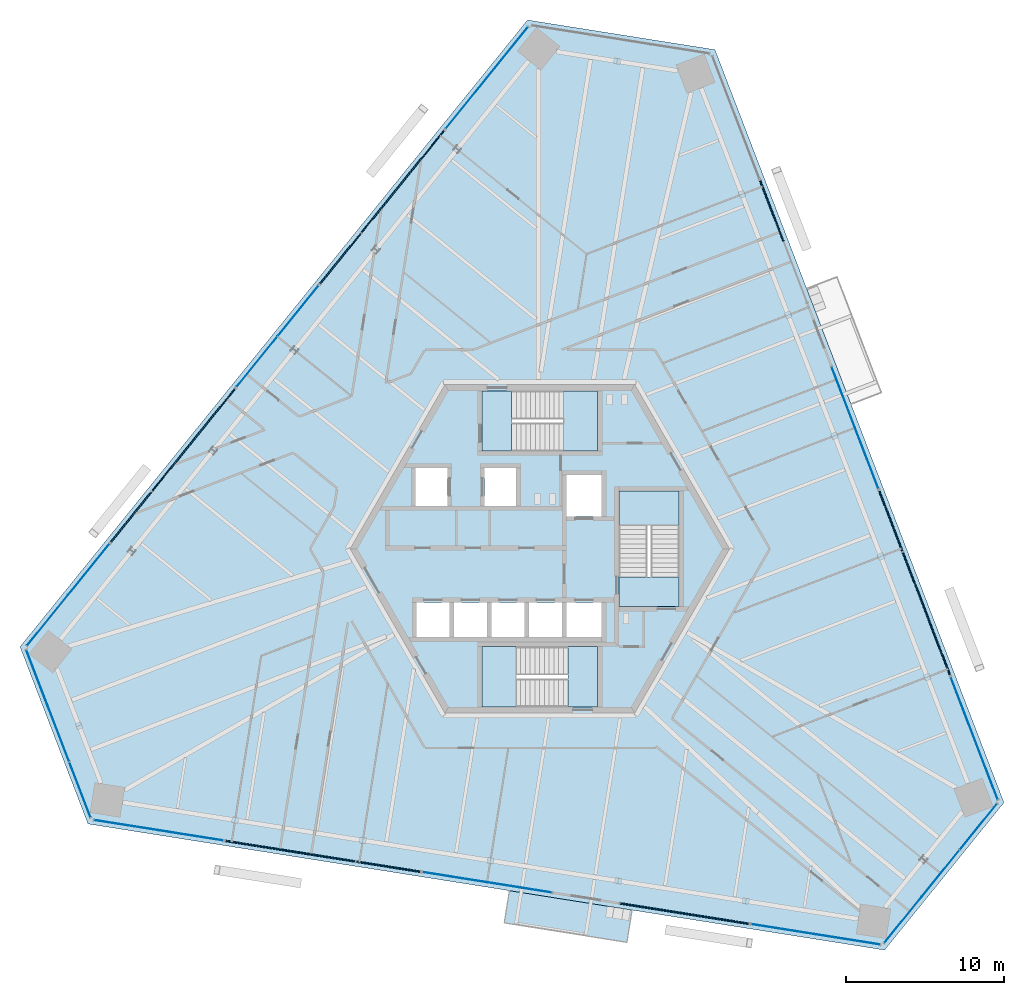
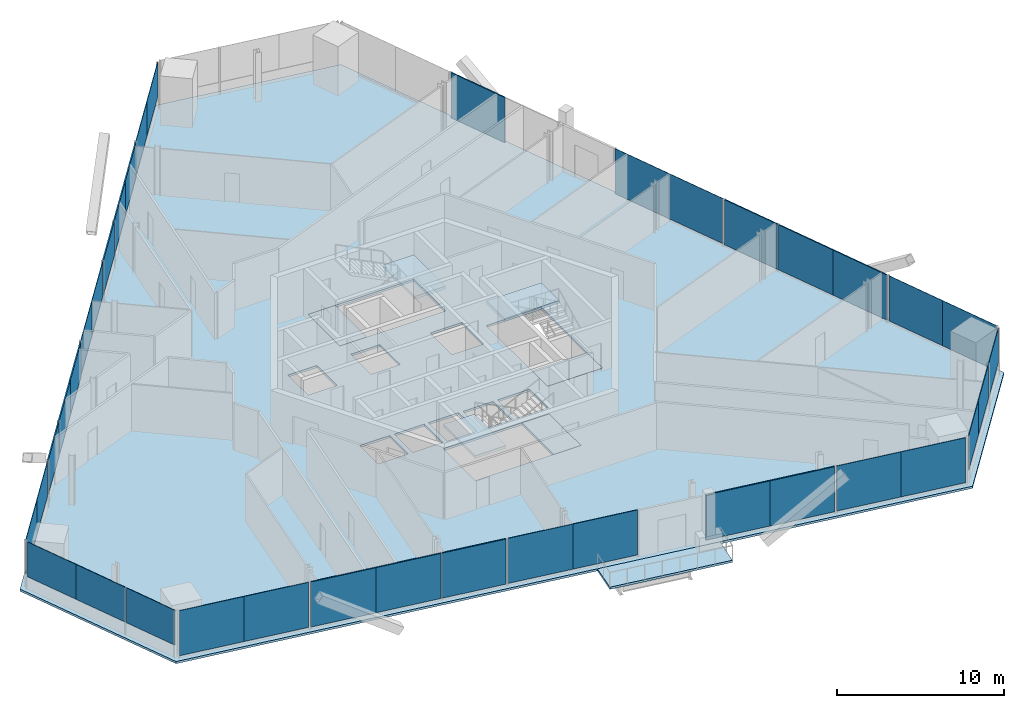
# One storey, part 10 of 19: 37 plates, 8 slabs, 19 elements without a shape of their own.
"""IFC4 building model written with IfcOpenShell, lengths in metres."""

from ifc_helpers import new_model, si_unit, direction, frame, origin, origin_2d, place, context, subcontext, project, spatial, polyline, rectangle, outline, extrude, source, transform, mapped, material, layer, layer_set, type_object, element, aggregate, save


model = new_model("IFC4")

# Units and contexts
model_context = context("Model", 3, precision=1e-05, world=origin(), true_north=direction((0.0, 1.0)))
body_context = subcontext(model_context, "Body", "Model", "MODEL_VIEW")
ifc_project = project(units=[si_unit("LENGTHUNIT", "METRE"), si_unit("AREAUNIT", "SQUARE_METRE"), si_unit("VOLUMEUNIT", "CUBIC_METRE"), si_unit("PLANEANGLEUNIT", "RADIAN"), si_unit("MASSUNIT", "GRAM", prefix="KILO")], contexts=[model_context])

# Site, building, storey
site_placement = place(None, origin())
site = spatial("IfcSite", under=ifc_project, at=site_placement, CompositionType="ELEMENT")
building_placement = place(site_placement, origin())
building = spatial("IfcBuilding", under=site, at=building_placement, Name="Triune Harvest Tower", CompositionType="ELEMENT")
storey_placement = place(building_placement, frame((0.0, 0.0, 164.10009765625)))
storey = spatial("IfcBuildingStorey", under=building, at=storey_placement, Name="L42", CompositionType="ELEMENT", Elevation=164.10009765625)

# Slab
ifc_material_1 = material(Name="Concrete 40 MPa", Category="concrete")
ifc_layer_1 = layer(ifc_material_1, 0.159912109375)
ifc_layer_set_1 = layer_set([ifc_layer_1], Name="Concrete 40 MPa")
slab_type_1 = type_object("IfcSlabType", Name="BA-1 balcony slab 160", PredefinedType="FLOOR", material=ifc_layer_set_1)
slab_1_placement = place(storey_placement, frame((0.0, 0.0, -0.16015625)))
element("IfcSlab", 1, at=slab_1_placement, inside=storey, type_object=slab_type_1, Name="Balcony slab B4-F5 L42.8", PredefinedType="FLOOR", context=body_context, shape_type="SweptSolid", body=[
    extrude(outline(polyline([(-1.925537109375, -21.615478515625), (5.829833984375, -22.843994140625), (5.50732421875, -24.8798828125), (-2.248046875, -23.651611328125), (-1.925537109375, -21.615478515625)])), origin(), (0.0, 0.0, 1.0), 0.16015625),
])

# Curtain wall, plate
ifc_material_2 = material(Name="Aluminium bronze anodised", Category="aluminium")
curtain_wall_type_1 = type_object("IfcCurtainWallType", Name="CW-10 Balcony window wall with insulated spandrel infill", PredefinedType="NOTDEFINED", material=ifc_material_2)
curtain_wall_1_placement = place(storey_placement, origin())
curtain_wall_1 = element("IfcCurtainWall", 2, at=curtain_wall_1_placement, inside=storey, type_object=curtain_wall_type_1, Name="CW-10 B4-F5 L42 run 1001")
ifc_material_3 = material(Name="Insulated spandrel panel, bronze aluminium pan", Category="aluminium")
ifc_layer_2 = layer(ifc_material_3, 0.080078125)
ifc_layer_set_2 = layer_set([ifc_layer_2], Name="Insulated spandrel panel, bronze aluminium pan")
plate_type_1 = type_object("IfcPlateType", Name="SP-1 insulated spandrel panel 80", PredefinedType="CURTAIN_PANEL", material=ifc_layer_set_2)
plate_1_placement = place(storey_placement, frame((-13.737060546875, -19.441162109375, 0.14990234375), z_axis=(0.0, 0.0, 1.0), x_axis=(0.987687838082, -0.156437637752, 0.0)))
plate_1 = element("IfcPlate", 3, at=plate_1_placement, type_object=plate_type_1, Name="CW-10 panel B4-F5 1001.2", PredefinedType="CURTAIN_PANEL", context=body_context, shape_type="SweptSolid", body=[
    extrude(rectangle(XDim=4.1708984375, YDim=0.080078125, at=origin_2d()), origin(), (0.0, 0.0, 1.0), 3.2900390625),
])

# Slab
ifc_material_4 = material(Name="Concrete 40 MPa", Category="concrete")
ifc_layer_3 = layer(ifc_material_4, 0.159912109375)
ifc_layer_set_3 = layer_set([ifc_layer_3], Name="Concrete 40 MPa")
slab_type_2 = type_object("IfcSlabType", Name="SL-1 Composite floor slab 160", PredefinedType="FLOOR", material=ifc_layer_set_3)
shared_shape_1 = source(origin(), body_context, "Body", "SweptSolid", [
    extrude(outline(polyline([(29.35107421875, -16.04736328125), (11.07421875, 31.565185546875), (-0.778076171875, 33.4423828125), (-32.873291015625, -6.19189453125), (-28.572998046875, -17.39501953125), (21.799072265625, -25.373291015625), (29.35107421875, -16.04736328125)]), holes=[polyline([(-5.72509765625, -5.590087890625), (-5.72509765625, -3.389892578125), (-7.800048828125, -3.389892578125), (-7.800048828125, -5.590087890625), (-5.72509765625, -5.590087890625)]), polyline([(-3.35009765625, -5.590087890625), (-3.35009765625, -3.389892578125), (-5.425048828125, -3.389892578125), (-5.425048828125, -5.590087890625), (-3.35009765625, -5.590087890625)]), polyline([(-0.97509765625, -5.590087890625), (-0.97509765625, -3.389892578125), (-3.050048828125, -3.389892578125), (-3.050048828125, -5.590087890625), (-0.97509765625, -5.590087890625)]), polyline([(1.39990234375, -5.590087890625), (1.39990234375, -3.389892578125), (-0.675048828125, -3.389892578125), (-0.675048828125, -5.590087890625), (1.39990234375, -5.590087890625)]), polyline([(3.89990234375, 2.06005859375), (3.89990234375, 4.659912109375), (1.699951171875, 4.659912109375), (1.699951171875, 2.06005859375), (3.89990234375, 2.06005859375)]), polyline([(3.89990234375, -5.590087890625), (3.89990234375, -3.389892578125), (1.699951171875, -3.389892578125), (1.699951171875, -5.590087890625), (3.89990234375, -5.590087890625)]), polyline([(-5.85009765625, 2.7099609375), (-5.85009765625, 5.110107421875), (-7.85009765625, 5.110107421875), (-7.85009765625, 2.7099609375), (-5.85009765625, 2.7099609375)]), polyline([(-1.5, 2.7099609375), (-1.5, 5.110107421875), (-3.5, 5.110107421875), (-3.5, 2.7099609375), (-1.5, 2.7099609375)]), polyline([(3.64990234375, 6.18994140625), (3.64990234375, 9.989990234375), (-3.64990234375, 9.989990234375), (-3.64990234375, 6.18994140625), (3.64990234375, 6.18994140625)]), polyline([(3.64990234375, -9.989990234375), (3.64990234375, -6.18994140625), (-3.64990234375, -6.18994140625), (-3.64990234375, -9.989990234375), (3.64990234375, -9.989990234375)]), polyline([(8.800048828125, -3.64990234375), (8.800048828125, 3.64990234375), (5.0, 3.64990234375), (5.0, -3.64990234375), (8.800048828125, -3.64990234375)])]), origin(), (0.0, 0.0, 1.0), 0.16015625),
])
slab_2_placement = place(storey_placement, frame((0.0, 0.0, -0.16015625)))
element("IfcSlab", 4, at=slab_2_placement, inside=storey, type_object=slab_type_2, Name="slab/L42/1", PredefinedType="FLOOR", context=body_context, shape_type="MappedRepresentation", body=[
    mapped(shared_shape_1, transform((0.0, 0.0, 0.0), scale=1.0)),
])

# Stair, slabs
ifc_material_5 = material(Name="Concrete 40 MPa", Category="concrete")
stair_type = type_object("IfcStairType", Name="Exit stair 1800 half turn", PredefinedType="HALF_TURN_STAIR", material=ifc_material_5)
stair_1_placement = place(storey_placement, origin())
stair_1 = element("IfcStair", 5, at=stair_1_placement, inside=storey, type_object=stair_type, Name="Exit stair north", PredefinedType="HALF_TURN_STAIR")
ifc_material_6 = material(Name="Concrete 40 MPa", Category="concrete")
ifc_layer_4 = layer(ifc_material_6, 0.199951171875)
ifc_layer_set_4 = layer_set([ifc_layer_4], Name="Concrete 40 MPa")
slab_type_3 = type_object("IfcSlabType", Name="Stair landing 200", PredefinedType="LANDING", material=ifc_layer_set_4)
shared_shape_2 = source(origin(), body_context, "Body", "SweptSolid", [
    extrude(outline(polyline([(1.510009765625, 6.18994140625), (3.64990234375, 6.18994140625), (3.64990234375, 9.989990234375), (1.510009765625, 9.989990234375), (1.510009765625, 6.18994140625)])), origin(), (0.0, 0.0, 1.0), 0.199951171875),
])
slab_3_placement = place(storey_placement, frame((0.0, 0.0, 1.599853515625)))
slab_3 = element("IfcSlab", 6, at=slab_3_placement, type_object=slab_type_3, Name="ST-1 landing 2", PredefinedType="LANDING", context=body_context, shape_type="MappedRepresentation", body=[
    mapped(shared_shape_2, transform((0.0, 0.0, 0.0), scale=1.0)),
])
shared_shape_3 = source(origin(), body_context, "Body", "SweptSolid", [
    extrude(outline(polyline([(-3.64990234375, 6.18994140625), (-1.780029296875, 6.18994140625), (-1.780029296875, 9.989990234375), (-3.64990234375, 9.989990234375), (-3.64990234375, 6.18994140625)])), origin(), (0.0, 0.0, 1.0), 0.2001953125),
])
slab_4_placement = place(storey_placement, frame((0.0, 0.0, -0.2001953125)))
slab_4 = element("IfcSlab", 7, at=slab_4_placement, type_object=slab_type_3, Name="ST-1 landing 1", PredefinedType="LANDING", context=body_context, shape_type="MappedRepresentation", body=[
    mapped(shared_shape_3, transform((0.0, 0.0, 0.0), scale=1.0)),
])
aggregate(stair_1, [slab_4, slab_3])

stair_2_placement = place(storey_placement, origin())
stair_2 = element("IfcStair", 8, at=stair_2_placement, inside=storey, type_object=stair_type, Name="Exit stair south", PredefinedType="HALF_TURN_STAIR")
shared_shape_4 = source(origin(), body_context, "Body", "SweptSolid", [
    extrude(outline(polyline([(-1.510009765625, -6.18994140625), (-3.64990234375, -6.18994140625), (-3.64990234375, -9.989990234375), (-1.510009765625, -9.989990234375), (-1.510009765625, -6.18994140625)])), origin(), (0.0, 0.0, 1.0), 0.199951171875),
])
slab_5_placement = place(storey_placement, frame((0.0, 0.0, 1.599853515625)))
slab_5 = element("IfcSlab", 9, at=slab_5_placement, type_object=slab_type_3, Name="ST-2 landing 2", PredefinedType="LANDING", context=body_context, shape_type="MappedRepresentation", body=[
    mapped(shared_shape_4, transform((0.0, 0.0, 0.0), scale=1.0)),
])
shared_shape_5 = source(origin(), body_context, "Body", "SweptSolid", [
    extrude(outline(polyline([(3.64990234375, -6.18994140625), (1.780029296875, -6.18994140625), (1.780029296875, -9.989990234375), (3.64990234375, -9.989990234375), (3.64990234375, -6.18994140625)])), origin(), (0.0, 0.0, 1.0), 0.2001953125),
])
slab_6_placement = place(storey_placement, frame((0.0, 0.0, -0.2001953125)))
slab_6 = element("IfcSlab", 10, at=slab_6_placement, type_object=slab_type_3, Name="ST-2 landing 1", PredefinedType="LANDING", context=body_context, shape_type="MappedRepresentation", body=[
    mapped(shared_shape_5, transform((0.0, 0.0, 0.0), scale=1.0)),
])
aggregate(stair_2, [slab_6, slab_5])

stair_3_placement = place(storey_placement, origin())
stair_3 = element("IfcStair", 11, at=stair_3_placement, inside=storey, type_object=stair_type, Name="Exit stair east", PredefinedType="HALF_TURN_STAIR")
shared_shape_6 = source(origin(), body_context, "Body", "SweptSolid", [
    extrude(outline(polyline([(8.800048828125, 1.510009765625), (8.800048828125, 3.64990234375), (5.0, 3.64990234375), (5.0, 1.510009765625), (8.800048828125, 1.510009765625)])), origin(), (0.0, 0.0, 1.0), 0.199951171875),
])
slab_7_placement = place(storey_placement, frame((0.0, 0.0, 1.599853515625)))
slab_7 = element("IfcSlab", 12, at=slab_7_placement, type_object=slab_type_3, Name="ST-3 landing 2", PredefinedType="LANDING", context=body_context, shape_type="MappedRepresentation", body=[
    mapped(shared_shape_6, transform((0.0, 0.0, 0.0), scale=1.0)),
])
shared_shape_7 = source(origin(), body_context, "Body", "SweptSolid", [
    extrude(outline(polyline([(8.800048828125, -3.64990234375), (8.800048828125, -1.780029296875), (5.0, -1.780029296875), (5.0, -3.64990234375), (8.800048828125, -3.64990234375)])), origin(), (0.0, 0.0, 1.0), 0.2001953125),
])
slab_8_placement = place(storey_placement, frame((0.0, 0.0, -0.2001953125)))
slab_8 = element("IfcSlab", 13, at=slab_8_placement, type_object=slab_type_3, Name="ST-3 landing 1", PredefinedType="LANDING", context=body_context, shape_type="MappedRepresentation", body=[
    mapped(shared_shape_7, transform((0.0, 0.0, 0.0), scale=1.0)),
])
aggregate(stair_3, [slab_8, slab_7])

# Curtain wall, plate
curtain_wall_2_placement = place(storey_placement, origin())
curtain_wall_2 = element("IfcCurtainWall", 14, at=curtain_wall_2_placement, inside=storey, type_object=curtain_wall_type_1, Name="CW-10 B4-F1 L42 run 2")
shared_shape_8 = source(origin(), body_context, "Body", "SweptSolid", [
    extrude(rectangle(XDim=4.12353515625, YDim=0.080078125, at=origin_2d()), origin(), (0.0, 0.0, 1.0), 3.2900390625),
])
plate_2_placement = place(storey_placement, frame((14.66357421875, 21.377685546875, 0.14990234375), z_axis=(0.0, 0.0, 1.0), x_axis=(-0.358365075175, 0.93358152986, 0.0)))
plate_2 = element("IfcPlate", 15, at=plate_2_placement, type_object=plate_type_1, Name="CW-10 panel B4-F1 2.2", PredefinedType="CURTAIN_PANEL", context=body_context, shape_type="MappedRepresentation", body=[
    mapped(shared_shape_8, transform((0.0, 0.0, 0.0), scale=1.0)),
])
aggregate(curtain_wall_2, [plate_2])

# Curtain wall, plates
curtain_wall_3_placement = place(storey_placement, origin())
curtain_wall_3 = element("IfcCurtainWall", 16, at=curtain_wall_3_placement, inside=storey, type_object=curtain_wall_type_1, Name="CW-10 B4-F5 L42 run 2")
plate_3_placement = place(storey_placement, frame((7.10888671875, -22.74267578125, 0.14990234375), z_axis=(0.0, 0.0, 1.0), x_axis=(0.987688084776, -0.15643608021, 0.0)))
plate_3 = element("IfcPlate", 17, at=plate_3_placement, type_object=plate_type_1, Name="CW-10 panel B4-F5 2.1", PredefinedType="CURTAIN_PANEL", context=body_context, shape_type="MappedRepresentation", body=[
    mapped(shared_shape_8, transform((0.0, 0.0, 0.0), scale=1.0)),
])
plate_4_placement = place(storey_placement, frame((11.181640625, -23.387939453125, 0.14990234375), z_axis=(0.0, 0.0, 1.0), x_axis=(0.987688084776, -0.15643608021, 0.0)))
plate_4 = element("IfcPlate", 18, at=plate_4_placement, type_object=plate_type_1, Name="CW-10 panel B4-F5 2.2", PredefinedType="CURTAIN_PANEL", context=body_context, shape_type="MappedRepresentation", body=[
    mapped(shared_shape_8, transform((0.0, 0.0, 0.0), scale=1.0)),
])
aggregate(curtain_wall_3, [plate_3, plate_4])

# Curtain wall, plate
curtain_wall_4_placement = place(storey_placement, origin())
curtain_wall_4 = element("IfcCurtainWall", 19, at=curtain_wall_4_placement, inside=storey, type_object=curtain_wall_type_1, Name="CW-10 B4-F1 L42 run 1001")
shared_shape_9 = source(origin(), body_context, "Body", "SweptSolid", [
    extrude(rectangle(XDim=4.13330078125, YDim=0.080078125, at=origin_2d()), origin(), (0.0, 0.0, 1.0), 3.2900390625),
])
plate_5_placement = place(storey_placement, frame((25.19287109375, -6.05224609375, 0.14990234375), z_axis=(0.0, 0.0, 1.0), x_axis=(-0.358365417562, 0.93358139843, 0.0)))
plate_5 = element("IfcPlate", 20, at=plate_5_placement, type_object=plate_type_1, Name="CW-10 panel B4-F1 1001.1", PredefinedType="CURTAIN_PANEL", context=body_context, shape_type="MappedRepresentation", body=[
    mapped(shared_shape_9, transform((0.0, 0.0, 0.0), scale=1.0)),
])

# Plate
plate_6_placement = place(storey_placement, frame((-17.837890625, -18.79150390625, 0.14990234375), z_axis=(0.0, 0.0, 1.0), x_axis=(0.987687838082, -0.156437637752, 0.0)))
plate_6 = element("IfcPlate", 21, at=plate_6_placement, type_object=plate_type_1, Name="CW-10 panel B4-F5 1001.1", PredefinedType="CURTAIN_PANEL", context=body_context, shape_type="MappedRepresentation", body=[
    mapped(shared_shape_9, transform((0.0, 0.0, 0.0), scale=1.0)),
])

shared_shape_10 = source(origin(), body_context, "Body", "SweptSolid", [
    extrude(rectangle(XDim=4.170654296875, YDim=0.080078125, at=origin_2d()), origin(), (0.0, 0.0, 1.0), 3.2900390625),
])
plate_7_placement = place(storey_placement, frame((23.705078125, -2.176025390625, 0.14990234375), z_axis=(0.0, 0.0, 1.0), x_axis=(-0.358365417562, 0.93358139843, 0.0)))
plate_7 = element("IfcPlate", 22, at=plate_7_placement, type_object=plate_type_1, Name="CW-10 panel B4-F1 1001.2", PredefinedType="CURTAIN_PANEL", context=body_context, shape_type="MappedRepresentation", body=[
    mapped(shared_shape_10, transform((0.0, 0.0, 0.0), scale=1.0)),
])

# Curtain wall, plate
ifc_material_7 = material(Name="Aluminium bronze anodised", Category="aluminium")
curtain_wall_type_2 = type_object("IfcCurtainWallType", Name="CW-1 Tower stick curtain wall", PredefinedType="NOTDEFINED", material=ifc_material_7)
curtain_wall_5_placement = place(storey_placement, origin())
curtain_wall_5 = element("IfcCurtainWall", 23, at=curtain_wall_5_placement, inside=storey, type_object=curtain_wall_type_2, Name="CW-1 B4-F4 L42 run 1")
ifc_material_8 = material(Name="Glass", Category="glass")
ifc_layer_5 = layer(ifc_material_8, 0.031982421875)
ifc_layer_set_5 = layer_set([ifc_layer_5], Name="Glass")
plate_type_2 = type_object("IfcPlateType", Name="GL-1 panel 32", PredefinedType="CURTAIN_PANEL", material=ifc_layer_set_5)
shared_shape_11 = source(origin(), body_context, "Body", "SweptSolid", [
    extrude(rectangle(XDim=3.74951171875, YDim=0.031982421875, at=origin_2d()), origin(), (0.0, 0.0, 1.0), 2.5400390625),
])
plate_8_placement = place(storey_placement, frame((-31.80029296875, -8.150390625, 0.89990234375), z_axis=(0.0, 0.0, 1.0), x_axis=(0.358368910177, -0.933580057745, 0.0)))
plate_8 = element("IfcPlate", 24, at=plate_8_placement, type_object=plate_type_2, Name="CW-1 panel B4-F4 1.1", PredefinedType="CURTAIN_PANEL", context=body_context, shape_type="MappedRepresentation", body=[
    mapped(shared_shape_11, transform((0.0, 0.0, 0.0), scale=1.0)),
])

curtain_wall_6_placement = place(storey_placement, origin())
curtain_wall_6 = element("IfcCurtainWall", 25, at=curtain_wall_6_placement, inside=storey, type_object=curtain_wall_type_2, Name="CW-1 B4-F6 L42 run 1")
plate_9_placement = place(storey_placement, frame((22.958740234375, -23.464599609375, 0.89990234375), z_axis=(0.0, 0.0, 1.0), x_axis=(0.629320905414, 0.777145544932, 0.0)))
plate_9 = element("IfcPlate", 26, at=plate_9_placement, type_object=plate_type_2, Name="CW-1 panel B4-F6 1.1", PredefinedType="CURTAIN_PANEL", context=body_context, shape_type="MappedRepresentation", body=[
    mapped(shared_shape_11, transform((0.0, 0.0, 0.0), scale=1.0)),
])

# Plate
shared_shape_12 = source(origin(), body_context, "Body", "SweptSolid", [
    extrude(rectangle(XDim=3.787109375, YDim=0.031982421875, at=origin_2d()), origin(), (0.0, 0.0, 1.0), 2.5400390625),
])
plate_10_placement = place(storey_placement, frame((-30.449951171875, -11.66845703125, 0.89990234375), z_axis=(0.0, 0.0, 1.0), x_axis=(0.358368910177, -0.933580057745, 0.0)))
plate_10 = element("IfcPlate", 27, at=plate_10_placement, type_object=plate_type_2, Name="CW-1 panel B4-F4 1.2", PredefinedType="CURTAIN_PANEL", context=body_context, shape_type="MappedRepresentation", body=[
    mapped(shared_shape_12, transform((0.0, 0.0, 0.0), scale=1.0)),
])

plate_11_placement = place(storey_placement, frame((25.330078125, -20.5361328125, 0.89990234375), z_axis=(0.0, 0.0, 1.0), x_axis=(0.629320905414, 0.777145544932, 0.0)))
plate_11 = element("IfcPlate", 28, at=plate_11_placement, type_object=plate_type_2, Name="CW-1 panel B4-F6 1.2", PredefinedType="CURTAIN_PANEL", context=body_context, shape_type="MappedRepresentation", body=[
    mapped(shared_shape_12, transform((0.0, 0.0, 0.0), scale=1.0)),
])

# Curtain wall, plate
ifc_material_9 = material(Name="Aluminium bronze anodised", Category="aluminium")
curtain_wall_type_3 = type_object("IfcCurtainWallType", Name="CW-7 Tower stick curtain wall with insulated spandrel infill", PredefinedType="NOTDEFINED", material=ifc_material_9)
curtain_wall_7_placement = place(storey_placement, origin())
curtain_wall_7 = element("IfcCurtainWall", 29, at=curtain_wall_7_placement, inside=storey, type_object=curtain_wall_type_3, Name="CW-7 B4-F3 L42 run 1001")
shared_shape_13 = source(origin(), body_context, "Body", "SweptSolid", [
    extrude(rectangle(XDim=4.131103515625, YDim=0.080078125, at=origin_2d()), origin(), (0.0, 0.0, 1.0), 2.5400390625),
])
plate_12_placement = place(storey_placement, frame((-7.351806640625, 24.847900390625, 0.89990234375), z_axis=(0.0, 0.0, 1.0), x_axis=(-0.629321101112, -0.777145386459, 0.0)))
plate_12 = element("IfcPlate", 30, at=plate_12_placement, type_object=plate_type_1, Name="CW-7 panel B4-F3 1001.1", PredefinedType="CURTAIN_PANEL", context=body_context, shape_type="MappedRepresentation", body=[
    mapped(shared_shape_13, transform((0.0, 0.0, 0.0), scale=1.0)),
])

curtain_wall_8_placement = place(storey_placement, origin())
curtain_wall_8 = element("IfcCurtainWall", 31, at=curtain_wall_8_placement, inside=storey, type_object=curtain_wall_type_3, Name="CW-7 B4-F3 L42 run 3001")
plate_13_placement = place(storey_placement, frame((-20.586669921875, 8.504150390625, 0.89990234375), z_axis=(0.0, 0.0, 1.0), x_axis=(-0.629321101112, -0.777145386459, 0.0)))
plate_13 = element("IfcPlate", 32, at=plate_13_placement, type_object=plate_type_1, Name="CW-7 panel B4-F3 3001.1", PredefinedType="CURTAIN_PANEL", context=body_context, shape_type="MappedRepresentation", body=[
    mapped(shared_shape_13, transform((0.0, 0.0, 0.0), scale=1.0)),
])

# Plate
shared_shape_14 = source(origin(), body_context, "Body", "SweptSolid", [
    extrude(rectangle(XDim=4.168701171875, YDim=0.080078125, at=origin_2d()), origin(), (0.0, 0.0, 1.0), 2.5400390625),
])
plate_14_placement = place(storey_placement, frame((-9.96337890625, 21.622802734375, 0.89990234375), z_axis=(0.0, 0.0, 1.0), x_axis=(-0.629321101112, -0.777145386459, 0.0)))
plate_14 = element("IfcPlate", 33, at=plate_14_placement, type_object=plate_type_1, Name="CW-7 panel B4-F3 1001.2", PredefinedType="CURTAIN_PANEL", context=body_context, shape_type="MappedRepresentation", body=[
    mapped(shared_shape_14, transform((0.0, 0.0, 0.0), scale=1.0)),
])

plate_15_placement = place(storey_placement, frame((-23.1982421875, 5.279052734375, 0.89990234375), z_axis=(0.0, 0.0, 1.0), x_axis=(-0.629321101112, -0.777145386459, 0.0)))
plate_15 = element("IfcPlate", 34, at=plate_15_placement, type_object=plate_type_1, Name="CW-7 panel B4-F3 3001.2", PredefinedType="CURTAIN_PANEL", context=body_context, shape_type="MappedRepresentation", body=[
    mapped(shared_shape_14, transform((0.0, 0.0, 0.0), scale=1.0)),
])

shared_shape_15 = source(origin(), body_context, "Body", "SweptSolid", [
    extrude(rectangle(XDim=3.712158203125, YDim=0.031982421875, at=origin_2d()), origin(), (0.0, 0.0, 1.0), 2.5400390625),
])
plate_16_placement = place(storey_placement, frame((-29.079345703125, -15.239013671875, 0.89990234375), z_axis=(0.0, 0.0, 1.0), x_axis=(0.358368910177, -0.933580057745, 0.0)))
plate_16 = element("IfcPlate", 35, at=plate_16_placement, type_object=plate_type_2, Name="CW-1 panel B4-F4 1.3", PredefinedType="CURTAIN_PANEL", context=body_context, shape_type="MappedRepresentation", body=[
    mapped(shared_shape_15, transform((0.0, 0.0, 0.0), scale=1.0)),
])

aggregate(curtain_wall_5, [plate_8, plate_10, plate_16])

plate_17_placement = place(storey_placement, frame((27.737060546875, -17.563720703125, 0.89990234375), z_axis=(0.0, 0.0, 1.0), x_axis=(0.629320905414, 0.777145544932, 0.0)))
plate_17 = element("IfcPlate", 36, at=plate_17_placement, type_object=plate_type_2, Name="CW-1 panel B4-F6 1.3", PredefinedType="CURTAIN_PANEL", context=body_context, shape_type="MappedRepresentation", body=[
    mapped(shared_shape_15, transform((0.0, 0.0, 0.0), scale=1.0)),
])

aggregate(curtain_wall_6, [plate_9, plate_11, plate_17])

# Curtain wall, plates
curtain_wall_9_placement = place(storey_placement, origin())
curtain_wall_9 = element("IfcCurtainWall", 37, at=curtain_wall_9_placement, inside=storey, type_object=curtain_wall_type_2, Name="CW-1 B4-F3 L42 run 1")
shared_shape_16 = source(origin(), body_context, "Body", "SweptSolid", [
    extrude(rectangle(XDim=4.131103515625, YDim=0.031982421875, at=origin_2d()), origin(), (0.0, 0.0, 1.0), 2.5400390625),
])
plate_18_placement = place(storey_placement, frame((-2.0576171875, 31.385498046875, 0.89990234375), z_axis=(0.0, 0.0, 1.0), x_axis=(-0.629324112978, -0.777142947484, 0.0)))
plate_18 = element("IfcPlate", 38, at=plate_18_placement, type_object=plate_type_2, Name="CW-1 panel B4-F3 1.1", PredefinedType="CURTAIN_PANEL", context=body_context, shape_type="MappedRepresentation", body=[
    mapped(shared_shape_16, transform((0.0, 0.0, 0.0), scale=1.0)),
])
plate_19_placement = place(storey_placement, frame((-4.657470703125, 28.175048828125, 0.89990234375), z_axis=(0.0, 0.0, 1.0), x_axis=(-0.629324112978, -0.777142947484, 0.0)))
plate_19 = element("IfcPlate", 39, at=plate_19_placement, type_object=plate_type_2, Name="CW-1 panel B4-F3 1.2", PredefinedType="CURTAIN_PANEL", context=body_context, shape_type="MappedRepresentation", body=[
    mapped(shared_shape_16, transform((0.0, 0.0, 0.0), scale=1.0)),
])
aggregate(curtain_wall_9, [plate_18, plate_19])

curtain_wall_10_placement = place(storey_placement, origin())
curtain_wall_10 = element("IfcCurtainWall", 40, at=curtain_wall_10_placement, inside=storey, type_object=curtain_wall_type_2, Name="CW-1 B4-F3 L42 run 2001")
plate_20_placement = place(storey_placement, frame((-15.292724609375, 15.041748046875, 0.89990234375), z_axis=(0.0, 0.0, 1.0), x_axis=(-0.629317225237, -0.777148525071, 0.0)))
plate_20 = element("IfcPlate", 41, at=plate_20_placement, type_object=plate_type_2, Name="CW-1 panel B4-F3 2001.1", PredefinedType="CURTAIN_PANEL", context=body_context, shape_type="MappedRepresentation", body=[
    mapped(shared_shape_16, transform((0.0, 0.0, 0.0), scale=1.0)),
])
plate_21_placement = place(storey_placement, frame((-17.892578125, 11.8310546875, 0.89990234375), z_axis=(0.0, 0.0, 1.0), x_axis=(-0.629317225237, -0.777148525071, 0.0)))
plate_21 = element("IfcPlate", 42, at=plate_21_placement, type_object=plate_type_2, Name="CW-1 panel B4-F3 2001.2", PredefinedType="CURTAIN_PANEL", context=body_context, shape_type="MappedRepresentation", body=[
    mapped(shared_shape_16, transform((0.0, 0.0, 0.0), scale=1.0)),
])
aggregate(curtain_wall_10, [plate_20, plate_21])

curtain_wall_11_placement = place(storey_placement, origin())
curtain_wall_11 = element("IfcCurtainWall", 43, at=curtain_wall_11_placement, inside=storey, type_object=curtain_wall_type_2, Name="CW-1 B4-F3 L42 run 4001")
plate_22_placement = place(storey_placement, frame((-28.52783203125, -1.30224609375, 0.89990234375), z_axis=(0.0, 0.0, 1.0), x_axis=(-0.629324112978, -0.777142947484, 0.0)))
plate_22 = element("IfcPlate", 44, at=plate_22_placement, type_object=plate_type_2, Name="CW-1 panel B4-F3 4001.1", PredefinedType="CURTAIN_PANEL", context=body_context, shape_type="MappedRepresentation", body=[
    mapped(shared_shape_16, transform((0.0, 0.0, 0.0), scale=1.0)),
])
plate_23_placement = place(storey_placement, frame((-31.12744140625, -4.5126953125, 0.89990234375), z_axis=(0.0, 0.0, 1.0), x_axis=(-0.629324112978, -0.777142947484, 0.0)))
plate_23 = element("IfcPlate", 45, at=plate_23_placement, type_object=plate_type_2, Name="CW-1 panel B4-F3 4001.2", PredefinedType="CURTAIN_PANEL", context=body_context, shape_type="MappedRepresentation", body=[
    mapped(shared_shape_16, transform((0.0, 0.0, 0.0), scale=1.0)),
])
aggregate(curtain_wall_11, [plate_22, plate_23])

# Plate
shared_shape_17 = source(origin(), body_context, "Body", "SweptSolid", [
    extrude(rectangle(XDim=4.093505859375, YDim=0.080078125, at=origin_2d()), origin(), (0.0, 0.0, 1.0), 2.5400390625),
])
plate_24_placement = place(storey_placement, frame((-12.6103515625, 18.354248046875, 0.89990234375), z_axis=(0.0, 0.0, 1.0), x_axis=(-0.629321101112, -0.777145386459, 0.0)))
plate_24 = element("IfcPlate", 46, at=plate_24_placement, type_object=plate_type_1, Name="CW-7 panel B4-F3 1001.3", PredefinedType="CURTAIN_PANEL", context=body_context, shape_type="MappedRepresentation", body=[
    mapped(shared_shape_17, transform((0.0, 0.0, 0.0), scale=1.0)),
])

aggregate(curtain_wall_7, [plate_12, plate_14, plate_24])

plate_25_placement = place(storey_placement, frame((-25.84521484375, 2.01025390625, 0.89990234375), z_axis=(0.0, 0.0, 1.0), x_axis=(-0.629321101112, -0.777145386459, 0.0)))
plate_25 = element("IfcPlate", 47, at=plate_25_placement, type_object=plate_type_1, Name="CW-7 panel B4-F3 3001.3", PredefinedType="CURTAIN_PANEL", context=body_context, shape_type="MappedRepresentation", body=[
    mapped(shared_shape_17, transform((0.0, 0.0, 0.0), scale=1.0)),
])

aggregate(curtain_wall_8, [plate_13, plate_15, plate_25])

# Curtain wall, plates
ifc_material_10 = material(Name="Aluminium bronze anodised", Category="aluminium")
curtain_wall_type_4 = type_object("IfcCurtainWallType", Name="CW-6 Balcony window wall", PredefinedType="NOTDEFINED", material=ifc_material_10)
curtain_wall_12_placement = place(storey_placement, origin())
curtain_wall_12 = element("IfcCurtainWall", 48, at=curtain_wall_12_placement, inside=storey, type_object=curtain_wall_type_4, Name="CW-6 B4-F1 L42 run 1")
ifc_material_11 = material(Name="Glass", Category="glass")
ifc_layer_6 = layer(ifc_material_11, 0.030029296875)
ifc_layer_set_6 = layer_set([ifc_layer_6], Name="Glass")
plate_type_3 = type_object("IfcPlateType", Name="GL-6 panel 30", PredefinedType="CURTAIN_PANEL", material=ifc_layer_set_6)
shared_shape_18 = source(origin(), body_context, "Body", "SweptSolid", [
    extrude(rectangle(XDim=4.13330078125, YDim=0.030029296875, at=origin_2d()), origin(), (0.0, 0.0, 1.0), 3.2900390625),
])
plate_26_placement = place(storey_placement, frame((28.209228515625, -13.909912109375, 0.14990234375), z_axis=(0.0, 0.0, 1.0), x_axis=(-0.358372467556, 0.933578692183, 0.0)))
plate_26 = element("IfcPlate", 49, at=plate_26_placement, type_object=plate_type_3, Name="CW-6 panel B4-F1 1.1", PredefinedType="CURTAIN_PANEL", context=body_context, shape_type="MappedRepresentation", body=[
    mapped(shared_shape_18, transform((0.0, 0.0, 0.0), scale=1.0)),
])
plate_27_placement = place(storey_placement, frame((26.727783203125, -10.051025390625, 0.14990234375), z_axis=(0.0, 0.0, 1.0), x_axis=(-0.358372467556, 0.933578692183, 0.0)))
plate_27 = element("IfcPlate", 50, at=plate_27_placement, type_object=plate_type_3, Name="CW-6 panel B4-F1 1.2", PredefinedType="CURTAIN_PANEL", context=body_context, shape_type="MappedRepresentation", body=[
    mapped(shared_shape_18, transform((0.0, 0.0, 0.0), scale=1.0)),
])
aggregate(curtain_wall_12, [plate_26, plate_27])

curtain_wall_13_placement = place(storey_placement, origin())
curtain_wall_13 = element("IfcCurtainWall", 51, at=curtain_wall_13_placement, inside=storey, type_object=curtain_wall_type_4, Name="CW-6 B4-F1 L42 run 2001")
plate_28_placement = place(storey_placement, frame((20.668701171875, 5.73388671875, 0.14990234375), z_axis=(0.0, 0.0, 1.0), x_axis=(-0.358371859088, 0.933578925755, 0.0)))
plate_28 = element("IfcPlate", 52, at=plate_28_placement, type_object=plate_type_3, Name="CW-6 panel B4-F1 2001.1", PredefinedType="CURTAIN_PANEL", context=body_context, shape_type="MappedRepresentation", body=[
    mapped(shared_shape_18, transform((0.0, 0.0, 0.0), scale=1.0)),
])
plate_29_placement = place(storey_placement, frame((19.187255859375, 9.5927734375, 0.14990234375), z_axis=(0.0, 0.0, 1.0), x_axis=(-0.358371859088, 0.933578925755, 0.0)))
plate_29 = element("IfcPlate", 53, at=plate_29_placement, type_object=plate_type_3, Name="CW-6 panel B4-F1 2001.2", PredefinedType="CURTAIN_PANEL", context=body_context, shape_type="MappedRepresentation", body=[
    mapped(shared_shape_18, transform((0.0, 0.0, 0.0), scale=1.0)),
])
aggregate(curtain_wall_13, [plate_28, plate_29])

curtain_wall_14_placement = place(storey_placement, origin())
curtain_wall_14 = element("IfcCurtainWall", 54, at=curtain_wall_14_placement, inside=storey, type_object=curtain_wall_type_4, Name="CW-6 B4-F5 L42 run 1")
plate_30_placement = place(storey_placement, frame((-26.15087890625, -17.474853515625, 0.14990234375), z_axis=(0.0, 0.0, 1.0), x_axis=(0.987688605637, -0.156432791621, 0.0)))
plate_30 = element("IfcPlate", 55, at=plate_30_placement, type_object=plate_type_3, Name="CW-6 panel B4-F5 1.1", PredefinedType="CURTAIN_PANEL", context=body_context, shape_type="MappedRepresentation", body=[
    mapped(shared_shape_18, transform((0.0, 0.0, 0.0), scale=1.0)),
])
plate_31_placement = place(storey_placement, frame((-22.068359375, -18.12158203125, 0.14990234375), z_axis=(0.0, 0.0, 1.0), x_axis=(0.987688605637, -0.156432791621, 0.0)))
plate_31 = element("IfcPlate", 56, at=plate_31_placement, type_object=plate_type_3, Name="CW-6 panel B4-F5 1.2", PredefinedType="CURTAIN_PANEL", context=body_context, shape_type="MappedRepresentation", body=[
    mapped(shared_shape_18, transform((0.0, 0.0, 0.0), scale=1.0)),
])
aggregate(curtain_wall_14, [plate_30, plate_31])

curtain_wall_15_placement = place(storey_placement, origin())
curtain_wall_15 = element("IfcCurtainWall", 57, at=curtain_wall_15_placement, inside=storey, type_object=curtain_wall_type_4, Name="CW-6 B4-F5 L42 run 2001")
plate_32_placement = place(storey_placement, frame((-5.368408203125, -20.7666015625, 0.14990234375), z_axis=(0.0, 0.0, 1.0), x_axis=(0.987688546926, -0.156433162316, 0.0)))
plate_32 = element("IfcPlate", 58, at=plate_32_placement, type_object=plate_type_3, Name="CW-6 panel B4-F5 2001.1", PredefinedType="CURTAIN_PANEL", context=body_context, shape_type="MappedRepresentation", body=[
    mapped(shared_shape_18, transform((0.0, 0.0, 0.0), scale=1.0)),
])
plate_33_placement = place(storey_placement, frame((-1.2861328125, -21.4130859375, 0.14990234375), z_axis=(0.0, 0.0, 1.0), x_axis=(0.987688546926, -0.156433162316, 0.0)))
plate_33 = element("IfcPlate", 59, at=plate_33_placement, type_object=plate_type_3, Name="CW-6 panel B4-F5 2001.2", PredefinedType="CURTAIN_PANEL", context=body_context, shape_type="MappedRepresentation", body=[
    mapped(shared_shape_18, transform((0.0, 0.0, 0.0), scale=1.0)),
])
aggregate(curtain_wall_15, [plate_32, plate_33])

# Plate
shared_shape_19 = source(origin(), body_context, "Body", "SweptSolid", [
    extrude(rectangle(XDim=4.095703125, YDim=0.080078125, at=origin_2d()), origin(), (0.0, 0.0, 1.0), 3.2900390625),
])
plate_34_placement = place(storey_placement, frame((22.19677734375, 1.752685546875, 0.14990234375), z_axis=(0.0, 0.0, 1.0), x_axis=(-0.358365417562, 0.93358139843, 0.0)))
plate_34 = element("IfcPlate", 60, at=plate_34_placement, type_object=plate_type_1, Name="CW-10 panel B4-F1 1001.3", PredefinedType="CURTAIN_PANEL", context=body_context, shape_type="MappedRepresentation", body=[
    mapped(shared_shape_19, transform((0.0, 0.0, 0.0), scale=1.0)),
])

aggregate(curtain_wall_4, [plate_5, plate_7, plate_34])

plate_35_placement = place(storey_placement, frame((-9.58056640625, -20.099365234375, 0.14990234375), z_axis=(0.0, 0.0, 1.0), x_axis=(0.987687838082, -0.156437637752, 0.0)))
plate_35 = element("IfcPlate", 61, at=plate_35_placement, type_object=plate_type_1, Name="CW-10 panel B4-F5 1001.3", PredefinedType="CURTAIN_PANEL", context=body_context, shape_type="MappedRepresentation", body=[
    mapped(shared_shape_19, transform((0.0, 0.0, 0.0), scale=1.0)),
])

aggregate(curtain_wall_1, [plate_6, plate_1, plate_35])

# Curtain wall, plates
curtain_wall_16_placement = place(storey_placement, origin())
curtain_wall_16 = element("IfcCurtainWall", 62, at=curtain_wall_16_placement, inside=storey, type_object=curtain_wall_type_4, Name="CW-6 B4-F5 L42 run 1002")
shared_shape_20 = source(origin(), body_context, "Body", "SweptSolid", [
    extrude(rectangle(XDim=4.12353515625, YDim=0.030029296875, at=origin_2d()), origin(), (0.0, 0.0, 1.0), 3.2900390625),
])
plate_36_placement = place(storey_placement, frame((15.40283203125, -24.056396484375, 0.14990234375), z_axis=(0.0, 0.0, 1.0), x_axis=(0.987688435047, -0.156433868695, 0.0)))
plate_36 = element("IfcPlate", 63, at=plate_36_placement, type_object=plate_type_3, Name="CW-6 panel B4-F5 1002.1", PredefinedType="CURTAIN_PANEL", context=body_context, shape_type="MappedRepresentation", body=[
    mapped(shared_shape_20, transform((0.0, 0.0, 0.0), scale=1.0)),
])
plate_37_placement = place(storey_placement, frame((19.4755859375, -24.701416015625, 0.14990234375), z_axis=(0.0, 0.0, 1.0), x_axis=(0.987688435047, -0.156433868695, 0.0)))
plate_37 = element("IfcPlate", 64, at=plate_37_placement, type_object=plate_type_3, Name="CW-6 panel B4-F5 1002.2", PredefinedType="CURTAIN_PANEL", context=body_context, shape_type="MappedRepresentation", body=[
    mapped(shared_shape_20, transform((0.0, 0.0, 0.0), scale=1.0)),
])
aggregate(curtain_wall_16, [plate_36, plate_37])

save(model, "model.ifc")
